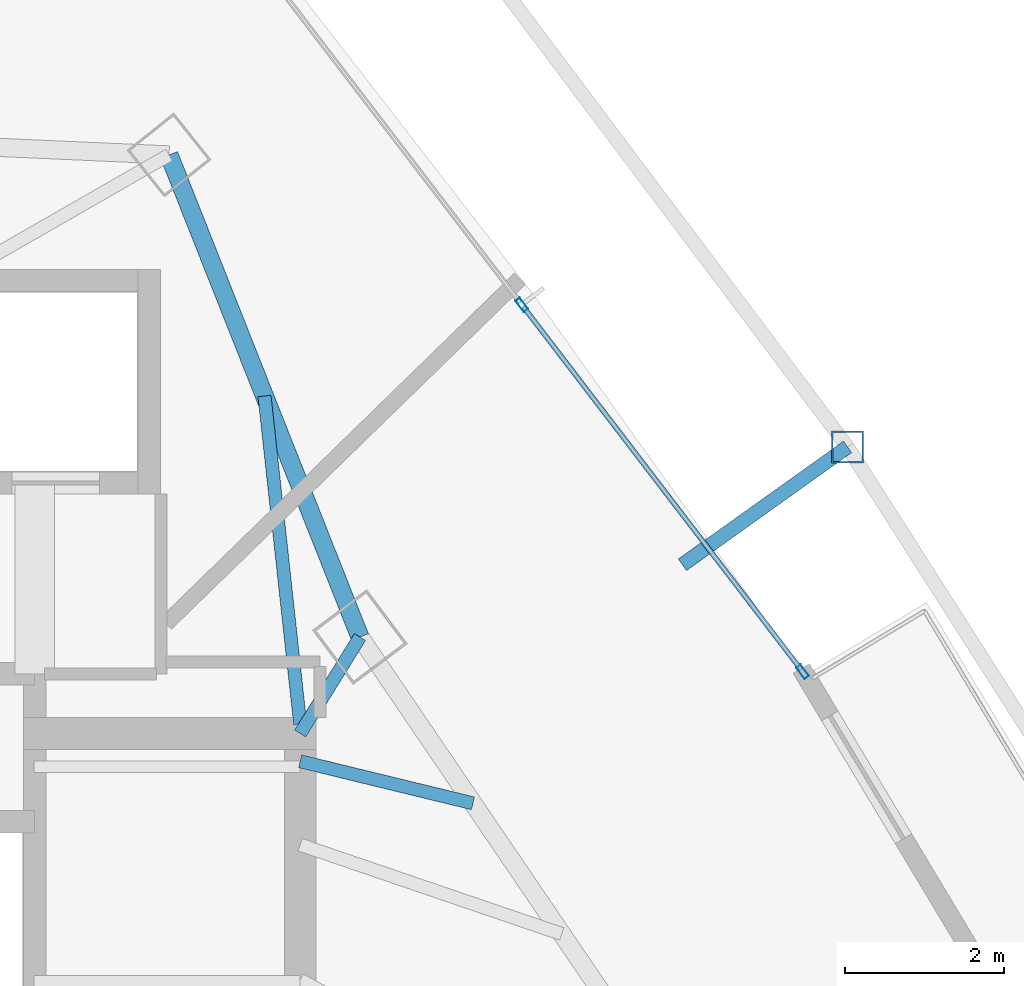
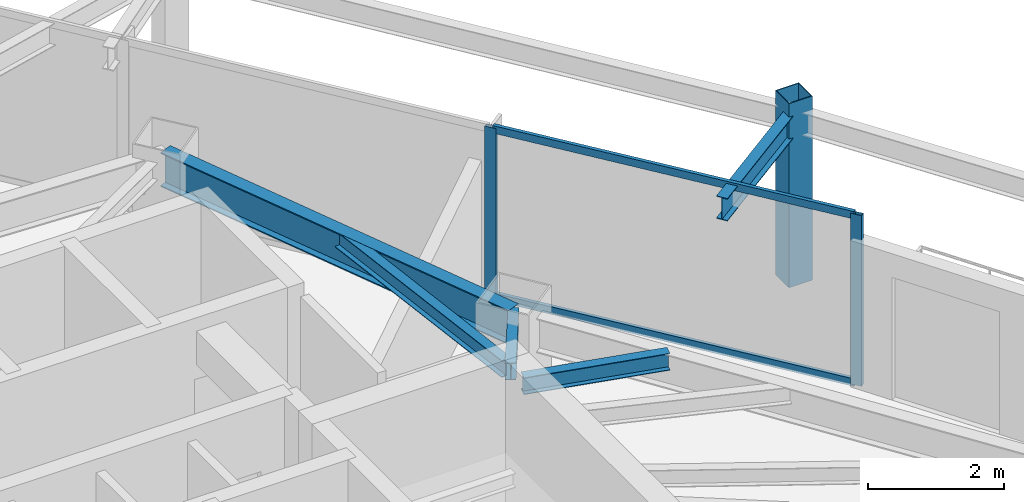
# One storey, part 22 of 31: 5 beams, 5 members, 1 element without a shape of its own.
"""IFC4 building model written with IfcOpenShell, lengths in metres."""

from ifc_helpers import new_model, si_unit, direction, frame, origin, origin_2d, place, context, subcontext, project, spatial, hollow_rectangle, i_section, extrude, material, layer, layer_set, material_profile, profile_set, type_object, element, aggregate, save


model = new_model("IFC4")

# Units and contexts
model_context = context("Model", 3, precision=1e-05, world=origin(), true_north=direction((0.0, 1.0)))
body_context = subcontext(model_context, "Body", "Model", "MODEL_VIEW")
ifc_project = project(units=[si_unit("LENGTHUNIT", "METRE"), si_unit("AREAUNIT", "SQUARE_METRE"), si_unit("VOLUMEUNIT", "CUBIC_METRE"), si_unit("PLANEANGLEUNIT", "RADIAN"), si_unit("MASSUNIT", "GRAM", prefix="KILO")], contexts=[model_context])

# Site, building, storey
site_placement = place(None, origin())
site = spatial("IfcSite", under=ifc_project, at=site_placement, CompositionType="ELEMENT")
building_placement = place(site_placement, origin())
building = spatial("IfcBuilding", under=site, at=building_placement, Name="Orvanel Arch Residences", CompositionType="ELEMENT")
storey_placement = place(building_placement, frame((0.0, 0.0, 106.699951171875)))
storey = spatial("IfcBuildingStorey", under=building, at=storey_placement, Name="L29", CompositionType="ELEMENT", Elevation=106.699951171875)

# Beams
ifc_material_1 = material(Name="Structural steel AS/NZS 3679.1 Grade 300 (300 MPa)", Category="steel")
ifc_material_profile_1 = material_profile(ifc_material_1, i_section(OverallWidth=0.1650390625, OverallDepth=0.303955078125, WebThickness=0.006103515625, FlangeThickness=0.01025390625, at=origin_2d()), Name="310UB40.4")
ifc_profile_set_1 = profile_set([ifc_material_profile_1], Name="Structural steel AS/NZS 3679.1 Grade 300 (300 MPa)")
beam_type_1 = type_object("IfcBeamType", Name="BJ-310UB", PredefinedType="JOIST", material=ifc_profile_set_1)
beam_1_placement = place(storey_placement, frame((39.60009765625, 33.89990234375, 2.907958984375), z_axis=(0.526843290616, 0.84996243866, 0.0), x_axis=(-0.84996243866, 0.526843290616, 0.0)))
element("IfcBeam", 1, at=beam_1_placement, inside=storey, type_object=beam_type_1, Name="L29 NNE Wing Floor Joist", PredefinedType="JOIST", context=body_context, shape_type="SweptSolid", body=[
    extrude(i_section(OverallWidth=0.1650390625, OverallDepth=0.303955078125, WebThickness=0.006103515625, FlangeThickness=0.01025390625, at=origin_2d()), origin(), (0.0, 0.0, 1.0), 1.42724609375),
])
beam_2_placement = place(storey_placement, frame((39.60009765625, 34.02001953125, 2.907958984375), z_axis=(-0.108261441852, 0.99412245735, 0.0), x_axis=(-0.99412245735, -0.108261441852, 0.0)))
element("IfcBeam", 2, at=beam_2_placement, inside=storey, type_object=beam_type_1, Name="L29 NNE2 Wing Floor Joist", PredefinedType="JOIST", context=body_context, shape_type="SweptSolid", body=[
    extrude(i_section(OverallWidth=0.1650390625, OverallDepth=0.303955078125, WebThickness=0.006103515625, FlangeThickness=0.01025390625, at=origin_2d()), origin(), (0.0, 0.0, 1.0), 4.1494140625),
])
beam_3_placement = place(storey_placement, frame((39.60009765625, 33.550048828125, 2.907958984375), z_axis=(0.971638471014, -0.236471312521, 0.0), x_axis=(0.236471312521, 0.971638471014, 0.0)))
element("IfcBeam", 3, at=beam_3_placement, inside=storey, type_object=beam_type_1, Name="L29 JADD4 Wing Floor Joist", PredefinedType="JOIST", context=body_context, shape_type="SweptSolid", body=[
    extrude(i_section(OverallWidth=0.1650390625, OverallDepth=0.303955078125, WebThickness=0.006103515625, FlangeThickness=0.01025390625, at=origin_2d()), origin(), (0.0, 0.0, 1.0), 2.2373046875),
])

# Curtain wall, members
ifc_material_2 = material(Name="Bronze-anodised aluminium AA6063-T6", Category="aluminium")
ifc_layer = layer(ifc_material_2, 0.179931640625)
ifc_layer_set = layer_set([ifc_layer], Name="Bronze-anodised aluminium AA6063-T6")
curtain_wall_type = type_object("IfcCurtainWallType", Name="CW3-MID-SYS", PredefinedType="NOTDEFINED", material=ifc_layer_set)
curtain_wall_placement = place(storey_placement, origin())
curtain_wall = element("IfcCurtainWall", 4, at=curtain_wall_placement, inside=storey, type_object=curtain_wall_type, Name="L29 CW3-MID-SYS Unitised Curtain Wall", PredefinedType="NOTDEFINED")
ifc_material_profile_2 = material_profile(ifc_material_2, hollow_rectangle(XDim=0.070068359375, YDim=0.179931640625, WallThickness=0.00439453125, at=origin_2d()), Name="ALU180x70x4.5")
ifc_profile_set_2 = profile_set([ifc_material_profile_2], Name="Bronze-anodised aluminium AA6063-T6")
member_type_1 = type_object("IfcMemberType", Name="MUL-180x70", PredefinedType="MULLION", material=ifc_profile_set_2)
member_1_placement = place(storey_placement, frame((45.921630859375, 34.677734375, 0.0), z_axis=(0.0, 0.0, 1.0), x_axis=(-0.794009853454, -0.607904887805, 0.0)))
member_1 = element("IfcMember", 5, at=member_1_placement, type_object=member_type_1, Name="CW-S3 mullion 1", PredefinedType="MULLION", context=body_context, shape_type="SweptSolid", body=[
    extrude(hollow_rectangle(XDim=0.070068359375, YDim=0.179931640625, WallThickness=0.00439453125, at=origin_2d()), origin(), (0.0, 0.0, 1.0), 3.06005859375),
])
member_2_placement = place(storey_placement, frame((42.387939453125, 39.293212890625, 0.0), z_axis=(0.0, 0.0, 1.0), x_axis=(-0.794009853454, -0.607904887805, 0.0)))
member_2 = element("IfcMember", 6, at=member_2_placement, type_object=member_type_1, Name="CW-S3 mullion 2", PredefinedType="MULLION", context=body_context, shape_type="SweptSolid", body=[
    extrude(hollow_rectangle(XDim=0.070068359375, YDim=0.179931640625, WallThickness=0.00439453125, at=origin_2d()), origin(), (0.0, 0.0, 1.0), 3.06005859375),
])

# Beams
ifc_material_profile_3 = material_profile(ifc_material_1, i_section(OverallWidth=0.177978515625, OverallDepth=0.406005859375, WebThickness=0.0078125, FlangeThickness=0.0126953125, at=origin_2d()), Name="410UB59.7")
ifc_profile_set_3 = profile_set([ifc_material_profile_3], Name="Structural steel AS/NZS 3679.1 Grade 300 (300 MPa)")
beam_type_2 = type_object("IfcBeamType", Name="OB-410UB-EXT", PredefinedType="SPANDREL", material=ifc_profile_set_3)
beam_4_placement = place(storey_placement, frame((44.409912109375, 36.02294921875, 2.85693359375), z_axis=(0.81392743492, 0.580966548679, 0.0), x_axis=(-0.580966548679, 0.81392743492, 0.0)))
element("IfcBeam", 7, at=beam_4_placement, inside=storey, type_object=beam_type_2, Name="L29 Outer Frame Radial Tie Beam 11", PredefinedType="SPANDREL", context=body_context, shape_type="SweptSolid", body=[
    extrude(i_section(OverallWidth=0.177978515625, OverallDepth=0.406005859375, WebThickness=0.0078125, FlangeThickness=0.0126953125, at=origin_2d()), origin(), (0.0, 0.0, 1.0), 2.55078125),
])
ifc_material_profile_4 = material_profile(ifc_material_1, i_section(OverallWidth=0.22900390625, OverallDepth=0.612060546875, WebThickness=0.011962890625, FlangeThickness=0.01953125, at=origin_2d()), Name="610UB125")
ifc_profile_set_4 = profile_set([ifc_material_profile_4], Name="Structural steel AS/NZS 3679.1 Grade 300 (300 MPa)")
beam_type_3 = type_object("IfcBeamType", Name="SP-610UB", PredefinedType="SPANDREL", material=ifc_profile_set_4)
beam_5_placement = place(storey_placement, frame((40.35205078125, 35.113037109375, 2.754150390625), z_axis=(-0.368233143579, 0.929733484376, 0.0), x_axis=(-0.929733484376, -0.368233143579, 0.0)))
element("IfcBeam", 8, at=beam_5_placement, inside=storey, type_object=beam_type_3, Name="L29 Perimeter Spandrel Beam 13", PredefinedType="SPANDREL", context=body_context, shape_type="SweptSolid", body=[
    extrude(i_section(OverallWidth=0.22900390625, OverallDepth=0.612060546875, WebThickness=0.011962890625, FlangeThickness=0.01953125, at=origin_2d()), origin(), (0.0, 0.0, 1.0), 6.523193359375),
])

# Member
ifc_material_3 = material(Name="Structural steel AS/NZS 1163 C450L0 (Grade 450)", Category="steel")
ifc_material_profile_5 = material_profile(ifc_material_3, hollow_rectangle(XDim=0.39990234375, YDim=0.39990234375, WallThickness=0.01611328125, at=origin_2d()), Name="SHS400x400x16")
ifc_profile_set_5 = profile_set([ifc_material_profile_5], Name="Structural steel AS/NZS 1163 C450L0 (Grade 450)")
member_type_2 = type_object("IfcMemberType", Name="ST-400SHS-EXT", PredefinedType="STRUT", material=ifc_profile_set_5)
member_3_placement = place(storey_placement, frame((46.486083984375, 37.5048828125, 0.0), z_axis=(0.0, 0.0, 1.0), x_axis=(1.0, 0.0, 0.0)))
element("IfcMember", 9, at=member_3_placement, inside=storey, type_object=member_type_2, Name="L29 Outer Perimeter Frame Post 11", PredefinedType="STRUT", context=body_context, shape_type="SweptSolid", body=[
    extrude(hollow_rectangle(XDim=0.39990234375, YDim=0.39990234375, WallThickness=0.01611328125, at=origin_2d()), origin(), (0.0, 0.0, 1.0), 3.300048828125),
])

ifc_material_profile_6 = material_profile(ifc_material_2, hollow_rectangle(XDim=0.06005859375, YDim=0.135009765625, WallThickness=0.00390625, at=origin_2d()), Name="ALU135x60x4")
ifc_profile_set_6 = profile_set([ifc_material_profile_6], Name="Bronze-anodised aluminium AA6063-T6")
member_type_3 = type_object("IfcMemberType", Name="TRN-135x60", PredefinedType="USERDEFINED", material=ifc_profile_set_6)
member_4_placement = place(storey_placement, frame((45.900390625, 34.70556640625, 0.030029296875), z_axis=(-0.607901289978, 0.794012607987, 0.0), x_axis=(-0.794012607987, -0.607901289978, 0.0)))
member_4 = element("IfcMember", 10, at=member_4_placement, type_object=member_type_3, Name="CW-S3 transom 1.1", ObjectType="TRANSOM", PredefinedType="USERDEFINED", context=body_context, shape_type="SweptSolid", body=[
    extrude(hollow_rectangle(XDim=0.06005859375, YDim=0.135009765625, WallThickness=0.00390625, at=origin_2d()), origin(), (0.0, 0.0, 1.0), 5.7431640625),
])

member_5_placement = place(storey_placement, frame((45.900390625, 34.70556640625, 3.030029296875), z_axis=(-0.607901289978, 0.794012607987, 0.0), x_axis=(-0.794012607987, -0.607901289978, 0.0)))
member_5 = element("IfcMember", 11, at=member_5_placement, type_object=member_type_3, Name="CW-S3 transom 1.2", ObjectType="TRANSOM", PredefinedType="USERDEFINED", context=body_context, shape_type="SweptSolid", body=[
    extrude(hollow_rectangle(XDim=0.06005859375, YDim=0.135009765625, WallThickness=0.00390625, at=origin_2d()), origin(), (0.0, 0.0, 1.0), 5.7431640625),
])

aggregate(curtain_wall, [member_1, member_2, member_4, member_5])

save(model, "model.ifc")
